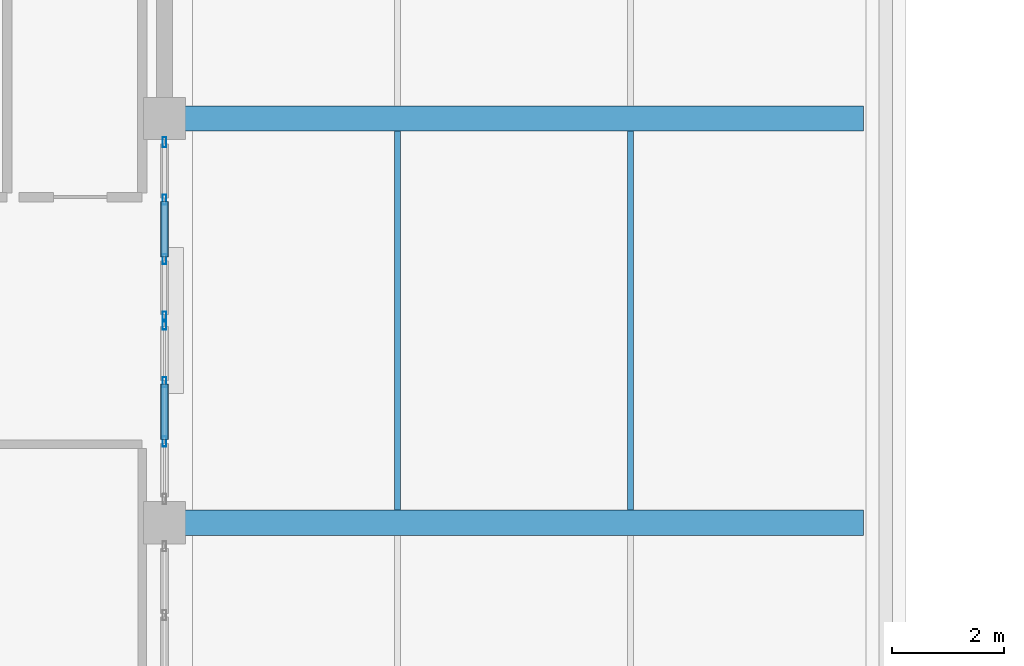
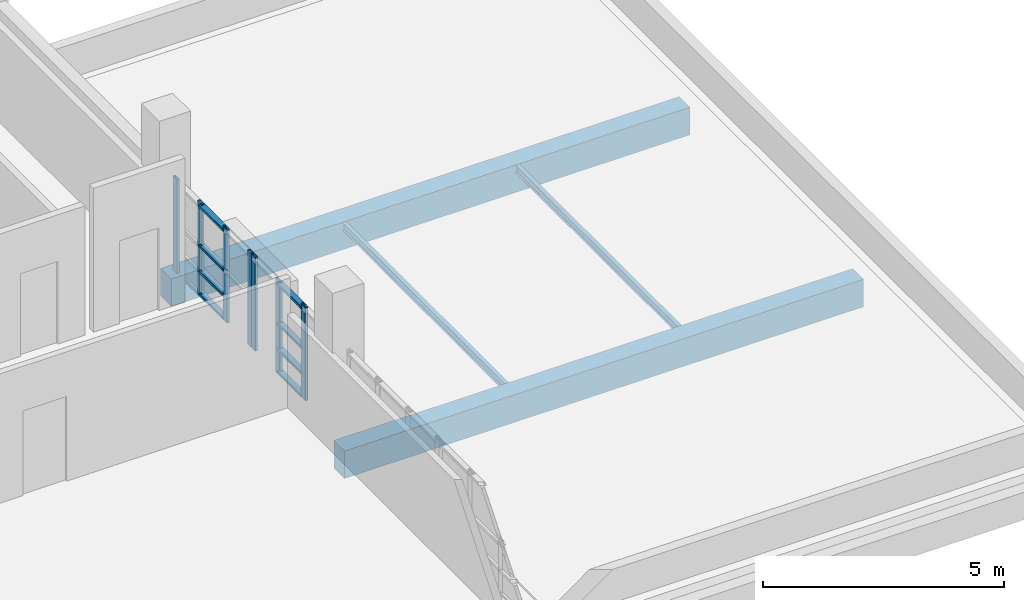
# One storey, part 123 of 188: 15 members, 4 beams, 2 elements without a shape of their own.
"""IFC4 building model written with IfcOpenShell, lengths in metres."""

from ifc_helpers import new_model, si_unit, direction, frame, origin, origin_2d, place, context, subcontext, project, spatial, rectangle, hollow_rectangle, i_section, extrude, material, layer, layer_set, material_profile, profile_set, type_object, element, aggregate, save


model = new_model("IFC4")

# Units and contexts
model_context = context("Model", 3, precision=1e-05, world=origin(), true_north=direction((0.0, 1.0)))
body_context = subcontext(model_context, "Body", "Model", "MODEL_VIEW")
ifc_project = project(units=[si_unit("LENGTHUNIT", "METRE"), si_unit("AREAUNIT", "SQUARE_METRE"), si_unit("VOLUMEUNIT", "CUBIC_METRE"), si_unit("PLANEANGLEUNIT", "RADIAN"), si_unit("MASSUNIT", "GRAM", prefix="KILO")], contexts=[model_context])

# Site, building, storey
site_placement = place(None, origin())
site = spatial("IfcSite", under=ifc_project, at=site_placement, CompositionType="ELEMENT")
building_placement = place(site_placement, origin())
building = spatial("IfcBuilding", under=site, at=building_placement, Name="Kisaragi Civic Commons", CompositionType="ELEMENT")
storey_placement = place(building_placement, frame((0.0, 0.0, 9.60009765625)))
storey = spatial("IfcBuildingStorey", under=building, at=storey_placement, Name="L02", CompositionType="ELEMENT", Elevation=9.60009765625)

# Curtain wall, members
ifc_material_1 = material(Name="Thermally broken anodized aluminium and low-E double glazing", Category="aluminium")
ifc_layer = layer(ifc_material_1, 0.179931640625, Name="Thermally broken anodized aluminium and low-E double glazing", Category="aluminium")
ifc_layer_set = layer_set([ifc_layer], Name="Thermally broken anodized aluminium and low-E double glazing")
curtain_wall_type = type_object("IfcCurtainWallType", Name="CW-01", PredefinedType="NOTDEFINED", material=ifc_layer_set)
curtain_wall_1_placement = place(storey_placement, origin())
curtain_wall_1 = element("IfcCurtainWall", 1, at=curtain_wall_1_placement, inside=storey, type_object=curtain_wall_type, Name="L02 curtain wall CW-01 CW-V4-L02-089", PredefinedType="NOTDEFINED")
ifc_material_profile_1 = material_profile(ifc_material_1, hollow_rectangle(XDim=0.06494140625, YDim=0.179931640625, WallThickness=0.00439453125, InnerFilletRadius=0.00439453125, OuterFilletRadius=0.009033203125, at=origin_2d()), Name="CWM-65x180x4.5", Category="aluminium")
ifc_profile_set_1 = profile_set([ifc_material_profile_1], Name="Thermally broken anodized aluminium and low-E double glazing")
member_type_1 = type_object("IfcMemberType", Name="CWM-02", PredefinedType="MULLION", material=ifc_profile_set_1)
member_1_placement = place(storey_placement, frame((146.39990234375, 111.177490234375, 0.0), z_axis=(0.0, 0.0, 1.0), x_axis=(1.0, 0.0, 0.0)))
member_1 = element("IfcMember", 2, at=member_1_placement, type_object=member_type_1, Name="CW-01 mullion 1", PredefinedType="MULLION", context=body_context, shape_type="SweptSolid", body=[
    extrude(hollow_rectangle(XDim=0.06494140625, YDim=0.179931640625, WallThickness=0.00439453125, InnerFilletRadius=0.00439453125, OuterFilletRadius=0.009033203125, at=origin_2d()), origin(), (0.0, 0.0, 1.0), 2.3798828125),
])
member_2_placement = place(storey_placement, frame((146.39990234375, 110.1533203125, 0.0), z_axis=(0.0, 0.0, 1.0), x_axis=(1.0, 0.0, 0.0)))
member_2 = element("IfcMember", 3, at=member_2_placement, type_object=member_type_1, Name="CW-01 mullion 2", PredefinedType="MULLION", context=body_context, shape_type="SweptSolid", body=[
    extrude(hollow_rectangle(XDim=0.06494140625, YDim=0.179931640625, WallThickness=0.00439453125, InnerFilletRadius=0.00439453125, OuterFilletRadius=0.009033203125, at=origin_2d()), origin(), (0.0, 0.0, 1.0), 2.3798828125),
])
member_3_placement = place(storey_placement, frame((146.39990234375, 109.0966796875, 0.0), z_axis=(0.0, 0.0, 1.0), x_axis=(1.0, 0.0, 0.0)))
member_3 = element("IfcMember", 4, at=member_3_placement, type_object=member_type_1, Name="CW-01 mullion 3", PredefinedType="MULLION", context=body_context, shape_type="SweptSolid", body=[
    extrude(hollow_rectangle(XDim=0.06494140625, YDim=0.179931640625, WallThickness=0.00439453125, InnerFilletRadius=0.00439453125, OuterFilletRadius=0.009033203125, at=origin_2d()), origin(), (0.0, 0.0, 1.0), 2.3798828125),
])
member_4_placement = place(storey_placement, frame((146.39990234375, 108.072509765625, 0.0), z_axis=(0.0, 0.0, 1.0), x_axis=(1.0, 0.0, 0.0)))
member_4 = element("IfcMember", 5, at=member_4_placement, type_object=member_type_1, Name="CW-01 mullion 4", PredefinedType="MULLION", context=body_context, shape_type="SweptSolid", body=[
    extrude(hollow_rectangle(XDim=0.06494140625, YDim=0.179931640625, WallThickness=0.00439453125, InnerFilletRadius=0.00439453125, OuterFilletRadius=0.009033203125, at=origin_2d()), origin(), (0.0, 0.0, 1.0), 2.3798828125),
])

curtain_wall_2_placement = place(storey_placement, origin())
curtain_wall_2 = element("IfcCurtainWall", 6, at=curtain_wall_2_placement, inside=storey, type_object=curtain_wall_type, Name="L02 curtain wall CW-01 CW-V4-L02-090", PredefinedType="NOTDEFINED")
member_5_placement = place(storey_placement, frame((146.39990234375, 107.927490234375, 0.0), z_axis=(0.0, 0.0, 1.0), x_axis=(1.0, 0.0, 0.0)))
member_5 = element("IfcMember", 7, at=member_5_placement, type_object=member_type_1, Name="CW-01 mullion 1", PredefinedType="MULLION", context=body_context, shape_type="SweptSolid", body=[
    extrude(hollow_rectangle(XDim=0.06494140625, YDim=0.179931640625, WallThickness=0.00439453125, InnerFilletRadius=0.00439453125, OuterFilletRadius=0.009033203125, at=origin_2d()), origin(), (0.0, 0.0, 1.0), 2.3798828125),
])
member_6_placement = place(storey_placement, frame((146.39990234375, 106.9033203125, 0.0), z_axis=(0.0, 0.0, 1.0), x_axis=(1.0, 0.0, 0.0)))
member_6 = element("IfcMember", 8, at=member_6_placement, type_object=member_type_1, Name="CW-01 mullion 2", PredefinedType="MULLION", context=body_context, shape_type="SweptSolid", body=[
    extrude(hollow_rectangle(XDim=0.06494140625, YDim=0.179931640625, WallThickness=0.00439453125, InnerFilletRadius=0.00439453125, OuterFilletRadius=0.009033203125, at=origin_2d()), origin(), (0.0, 0.0, 1.0), 2.3798828125),
])
member_7_placement = place(storey_placement, frame((146.39990234375, 105.8466796875, 0.0), z_axis=(0.0, 0.0, 1.0), x_axis=(1.0, 0.0, 0.0)))
member_7 = element("IfcMember", 9, at=member_7_placement, type_object=member_type_1, Name="CW-01 mullion 3", PredefinedType="MULLION", context=body_context, shape_type="SweptSolid", body=[
    extrude(hollow_rectangle(XDim=0.06494140625, YDim=0.179931640625, WallThickness=0.00439453125, InnerFilletRadius=0.00439453125, OuterFilletRadius=0.009033203125, at=origin_2d()), origin(), (0.0, 0.0, 1.0), 2.3798828125),
])

# Member
ifc_material_profile_2 = material_profile(ifc_material_1, hollow_rectangle(XDim=0.139892578125, YDim=0.06494140625, WallThickness=0.00439453125, InnerFilletRadius=0.00439453125, OuterFilletRadius=0.009033203125, at=origin_2d()), Name="CWT-65x140x4.5", Category="aluminium")
ifc_profile_set_2 = profile_set([ifc_material_profile_2], Name="Thermally broken anodized aluminium and low-E double glazing")
member_type_2 = type_object("IfcMemberType", Name="CWT-02", PredefinedType="USERDEFINED", material=ifc_profile_set_2)
member_8_placement = place(storey_placement, frame((146.39990234375, 110.120849609375, 0.06982421875), z_axis=(0.0, -1.0, 0.0), x_axis=(1.0, 0.0, 0.0)))
member_8 = element("IfcMember", 10, at=member_8_placement, type_object=member_type_2, Name="CW-01 transom 2.1", ObjectType="TRANSOM", PredefinedType="USERDEFINED", context=body_context, shape_type="SweptSolid", body=[
    extrude(hollow_rectangle(XDim=0.139892578125, YDim=0.06494140625, WallThickness=0.00439453125, InnerFilletRadius=0.00439453125, OuterFilletRadius=0.009033203125, at=origin_2d()), origin(), (0.0, 0.0, 1.0), 0.99169921875),
])

member_9_placement = place(storey_placement, frame((146.39990234375, 110.120849609375, 0.64990234375), z_axis=(0.0, -1.0, 0.0), x_axis=(1.0, 0.0, 0.0)))
member_9 = element("IfcMember", 11, at=member_9_placement, type_object=member_type_2, Name="CW-01 transom 2.2", ObjectType="TRANSOM", PredefinedType="USERDEFINED", context=body_context, shape_type="SweptSolid", body=[
    extrude(hollow_rectangle(XDim=0.139892578125, YDim=0.06494140625, WallThickness=0.00439453125, InnerFilletRadius=0.00439453125, OuterFilletRadius=0.009033203125, at=origin_2d()), origin(), (0.0, 0.0, 1.0), 0.99169921875),
])

member_10_placement = place(storey_placement, frame((146.39990234375, 110.120849609375, 1.2998046875), z_axis=(0.0, -1.0, 0.0), x_axis=(1.0, 0.0, 0.0)))
member_10 = element("IfcMember", 12, at=member_10_placement, type_object=member_type_2, Name="CW-01 transom 2.3", ObjectType="TRANSOM", PredefinedType="USERDEFINED", context=body_context, shape_type="SweptSolid", body=[
    extrude(hollow_rectangle(XDim=0.139892578125, YDim=0.06494140625, WallThickness=0.00439453125, InnerFilletRadius=0.00439453125, OuterFilletRadius=0.009033203125, at=origin_2d()), origin(), (0.0, 0.0, 1.0), 0.99169921875),
])

member_11_placement = place(storey_placement, frame((146.39990234375, 110.120849609375, 2.309814453125), z_axis=(0.0, -1.0, 0.0), x_axis=(1.0, 0.0, 0.0)))
member_11 = element("IfcMember", 13, at=member_11_placement, type_object=member_type_2, Name="CW-01 transom 2.4", ObjectType="TRANSOM", PredefinedType="USERDEFINED", context=body_context, shape_type="SweptSolid", body=[
    extrude(hollow_rectangle(XDim=0.139892578125, YDim=0.06494140625, WallThickness=0.00439453125, InnerFilletRadius=0.00439453125, OuterFilletRadius=0.009033203125, at=origin_2d()), origin(), (0.0, 0.0, 1.0), 0.99169921875),
])

aggregate(curtain_wall_1, [member_1, member_2, member_3, member_4, member_8, member_9, member_10, member_11])

member_12_placement = place(storey_placement, frame((146.39990234375, 106.870849609375, 0.06982421875), z_axis=(0.0, -1.0, 0.0), x_axis=(1.0, 0.0, 0.0)))
member_12 = element("IfcMember", 14, at=member_12_placement, type_object=member_type_2, Name="CW-01 transom 2.1", ObjectType="TRANSOM", PredefinedType="USERDEFINED", context=body_context, shape_type="SweptSolid", body=[
    extrude(hollow_rectangle(XDim=0.139892578125, YDim=0.06494140625, WallThickness=0.00439453125, InnerFilletRadius=0.00439453125, OuterFilletRadius=0.009033203125, at=origin_2d()), origin(), (0.0, 0.0, 1.0), 0.99169921875),
])

member_13_placement = place(storey_placement, frame((146.39990234375, 106.870849609375, 0.64990234375), z_axis=(0.0, -1.0, 0.0), x_axis=(1.0, 0.0, 0.0)))
member_13 = element("IfcMember", 15, at=member_13_placement, type_object=member_type_2, Name="CW-01 transom 2.2", ObjectType="TRANSOM", PredefinedType="USERDEFINED", context=body_context, shape_type="SweptSolid", body=[
    extrude(hollow_rectangle(XDim=0.139892578125, YDim=0.06494140625, WallThickness=0.00439453125, InnerFilletRadius=0.00439453125, OuterFilletRadius=0.009033203125, at=origin_2d()), origin(), (0.0, 0.0, 1.0), 0.99169921875),
])

member_14_placement = place(storey_placement, frame((146.39990234375, 106.870849609375, 1.2998046875), z_axis=(0.0, -1.0, 0.0), x_axis=(1.0, 0.0, 0.0)))
member_14 = element("IfcMember", 16, at=member_14_placement, type_object=member_type_2, Name="CW-01 transom 2.3", ObjectType="TRANSOM", PredefinedType="USERDEFINED", context=body_context, shape_type="SweptSolid", body=[
    extrude(hollow_rectangle(XDim=0.139892578125, YDim=0.06494140625, WallThickness=0.00439453125, InnerFilletRadius=0.00439453125, OuterFilletRadius=0.009033203125, at=origin_2d()), origin(), (0.0, 0.0, 1.0), 0.99169921875),
])

member_15_placement = place(storey_placement, frame((146.39990234375, 106.870849609375, 2.309814453125), z_axis=(0.0, -1.0, 0.0), x_axis=(1.0, 0.0, 0.0)))
member_15 = element("IfcMember", 17, at=member_15_placement, type_object=member_type_2, Name="CW-01 transom 2.4", ObjectType="TRANSOM", PredefinedType="USERDEFINED", context=body_context, shape_type="SweptSolid", body=[
    extrude(hollow_rectangle(XDim=0.139892578125, YDim=0.06494140625, WallThickness=0.00439453125, InnerFilletRadius=0.00439453125, OuterFilletRadius=0.009033203125, at=origin_2d()), origin(), (0.0, 0.0, 1.0), 0.99169921875),
])

aggregate(curtain_wall_2, [member_5, member_6, member_7, member_12, member_13, member_14, member_15])

# Beams
ifc_material_2 = material(Name="Concrete Fc30", Category="concrete")
ifc_material_profile_3 = material_profile(ifc_material_2, rectangle(XDim=0.449951171875, YDim=0.699951171875, at=origin_2d()), Name="RC-450x700", Category="concrete")
ifc_profile_set_3 = profile_set([ifc_material_profile_3], Name="Concrete Fc30")
beam_type_1 = type_object("IfcBeamType", Name="G-17", PredefinedType="BEAM", material=ifc_profile_set_3)
for number, where, z_axis, x_axis, name in (
    (18, (146.39990234375, 104.39990234375, -0.670166015625), (1.0, 0.0, 0.0), (0.0, 1.0, 0.0), "L02 girder G-17 304"),
    (19, (146.39990234375, 111.60009765625, -0.670166015625), (1.0, 0.0, 0.0), (0.0, 1.0, 0.0), "L02 girder G-17 309"),
):
    element("IfcBeam", number, at=place(storey_placement, frame(where, z_axis=z_axis, x_axis=x_axis)), inside=storey, type_object=beam_type_1, Name=name, PredefinedType="BEAM", context=body_context, shape_type="SweptSolid", body=[
        extrude(rectangle(XDim=0.449951171875, YDim=0.699951171875, at=origin_2d()), origin(), (0.0, 0.0, 1.0), 12.4501953125),
    ])
ifc_material_3 = material(Name="Steel SN400 (SN400B)", Category="steel")
ifc_material_profile_4 = material_profile(ifc_material_3, i_section(OverallWidth=0.10009765625, OverallDepth=0.199951171875, WebThickness=0.005615234375, FlangeThickness=0.008056640625, FilletRadius=0.008056640625, at=origin_2d()), Name="H-200x100x5.5x8", Category="steel")
ifc_profile_set_4 = profile_set([ifc_material_profile_4], Name="Steel SN400 (SN400B)")
beam_type_2 = type_object("IfcBeamType", Name="J-06", PredefinedType="JOIST", material=ifc_profile_set_4)
for number, where, z_axis, x_axis, name in (
    (20, (150.550048828125, 104.625, -0.420166015625), (0.0, 1.0, 0.0), (-1.0, 0.0, 0.0), "L02 secondary steel joist J-06 67"),
    (21, (154.699951171875, 104.625, -0.420166015625), (0.0, 1.0, 0.0), (-1.0, 0.0, 0.0), "L02 secondary steel joist J-06 68"),
):
    element("IfcBeam", number, at=place(storey_placement, frame(where, z_axis=z_axis, x_axis=x_axis)), inside=storey, type_object=beam_type_2, Name=name, PredefinedType="JOIST", context=body_context, shape_type="SweptSolid", body=[
        extrude(i_section(OverallWidth=0.10009765625, OverallDepth=0.199951171875, WebThickness=0.005615234375, FlangeThickness=0.008056640625, FilletRadius=0.008056640625, at=origin_2d()), origin(), (0.0, 0.0, 1.0), 6.75),
    ])

save(model, "model.ifc")
